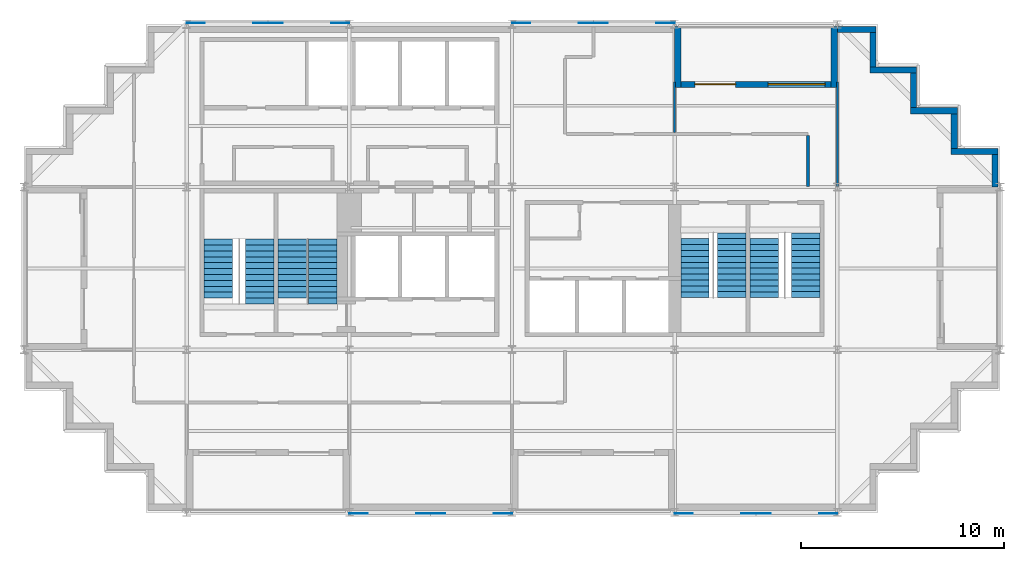
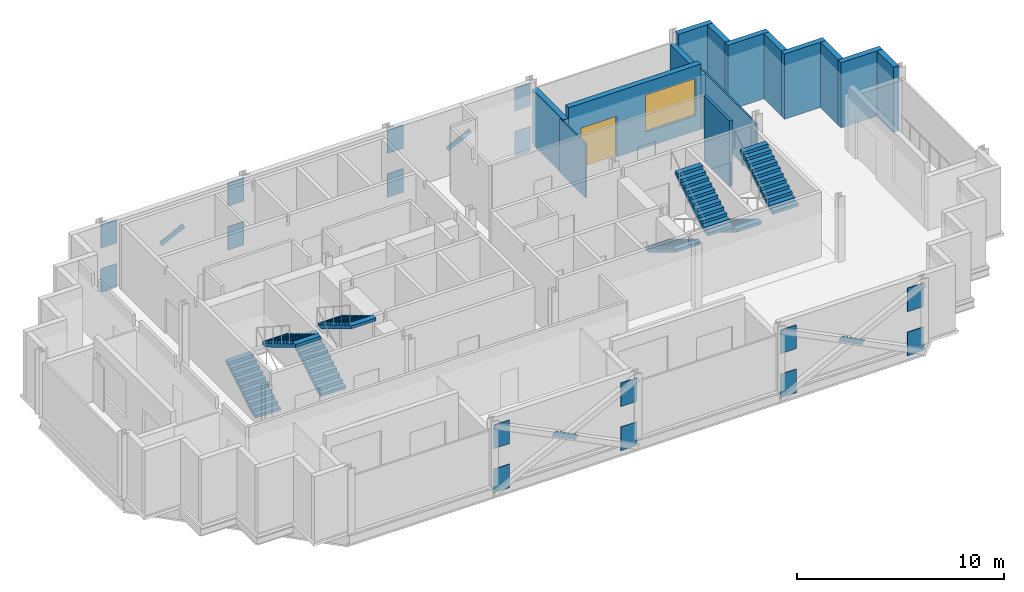
# One storey, part 7 of 8: 20 discrete accessories, 14 walls, 8 stair flights, 1 door, 1 window, 2 openings, 4 elements without a shape of their own.
"""IFC4 building model written with IfcOpenShell, lengths in metres."""

from ifc_helpers import new_model, si_unit, direction, frame, frame_2d, origin, origin_2d, place, context, subcontext, project, spatial, polyline, rectangle, outline, extrude, material, layer, layer_set, material_profile, profile_set, type_object, element, fill, aggregate, save


model = new_model("IFC4")

# Units and contexts
model_context = context("Model", 3, precision=1e-05, world=origin(), true_north=direction((0.0, 1.0)))
body_context = subcontext(model_context, "Body", "Model", "MODEL_VIEW")
ifc_project = project(units=[si_unit("LENGTHUNIT", "METRE"), si_unit("AREAUNIT", "SQUARE_METRE"), si_unit("VOLUMEUNIT", "CUBIC_METRE"), si_unit("PLANEANGLEUNIT", "RADIAN"), si_unit("MASSUNIT", "GRAM", prefix="KILO")], contexts=[model_context])

# Site, building, storey
site_placement = place(None, origin())
site = spatial("IfcSite", under=ifc_project, at=site_placement, CompositionType="ELEMENT")
building_placement = place(site_placement, origin())
building = spatial("IfcBuilding", under=site, at=building_placement, Name="Immortelle Media Tower", CompositionType="ELEMENT")
storey_placement = place(building_placement, frame((0.0, 0.0, 267.0)))
storey = spatial("IfcBuildingStorey", under=building, at=storey_placement, Name="L58", CompositionType="ELEMENT", Elevation=267.0)

# Walls
ifc_material_1 = material(Name="Fire-rated gypsum board", Category="gypsum")
ifc_layer_1 = layer(ifc_material_1, 0.012451171875)
ifc_material_2 = material(Name="Steel ASTM A653 SS Gr 50 stud frame with mineral wool", Category="steel")
ifc_layer_2 = layer(ifc_material_2, 0.125)
ifc_layer_3 = layer(ifc_material_1, 0.012451171875)
ifc_layer_set_1 = layer_set([ifc_layer_1, ifc_layer_2, ifc_layer_3], Name="Steel ASTM A653 SS Gr 50 stud frame with mineral wool")
wall_type_1 = type_object("IfcWallType", Name="Corridor wall 150", PredefinedType="PARTITIONING", material=ifc_layer_set_1)
wall_1_placement = place(storey_placement, frame((38.550048828125, 16.030029296875, 0.0), z_axis=(0.0, 0.0, 1.0), x_axis=(0.0, 1.0, 0.0)))
element("IfcWall", 1, at=wall_1_placement, inside=storey, type_object=wall_type_1, Name="Partition L58-009", PredefinedType="PARTITIONING", context=body_context, shape_type="SweptSolid", body=[
    extrude(rectangle(XDim=2.494873046875, YDim=0.14990234375, at=frame_2d((1.24755859375, 0.0))), origin(), (0.0, 0.0, 1.0), 3.85009765625),
])
ifc_material_3 = material(Name="Pale aluminium cladding panel", Category="aluminium")
ifc_layer_4 = layer(ifc_material_3, 0.030029296875)
ifc_layer_5 = layer(ifc_material_2, 0.257568359375)
ifc_material_4 = material(Name="Moisture-resistant gypsum board", Category="gypsum")
ifc_layer_6 = layer(ifc_material_4, 0.012451171875)
ifc_layer_set_2 = layer_set([ifc_layer_4, ifc_layer_5, ifc_layer_6], Name="Steel ASTM A653 SS Gr 50 stud frame with mineral wool")
wall_type_2 = type_object("IfcWallType", Name="Facade wall 300", PredefinedType="SOLIDWALL", material=ifc_layer_set_2)
wall_2_placement = place(storey_placement, frame((47.75, 16.0, 0.0), z_axis=(0.0, 0.0, 1.0), x_axis=(0.0, 1.0, 0.0)))
element("IfcWall", 2, at=wall_2_placement, inside=storey, type_object=wall_type_2, Name="Facade wall L58 E13", PredefinedType="SOLIDWALL", context=body_context, shape_type="SweptSolid", body=[
    extrude(rectangle(XDim=1.60009765625, YDim=0.300048828125, at=frame_2d((0.800048828125, 0.0))), origin(), (0.0, 0.0, 1.0), 3.85009765625),
])
wall_3_placement = place(storey_placement, frame((47.89990234375, 17.75, 0.0), z_axis=(0.0, 0.0, 1.0), x_axis=(-1.0, 0.0, 0.0)))
element("IfcWall", 3, at=wall_3_placement, inside=storey, type_object=wall_type_2, Name="Facade wall L58 N14", PredefinedType="SOLIDWALL", context=body_context, shape_type="SweptSolid", body=[
    extrude(rectangle(XDim=2.2998046875, YDim=0.300048828125, at=frame_2d((1.14990234375, 0.0))), origin(), (0.0, 0.0, 1.0), 3.85009765625),
])
wall_4_placement = place(storey_placement, frame((45.75, 17.89990234375, 0.0), z_axis=(0.0, 0.0, 1.0), x_axis=(0.0, 1.0, 0.0)))
element("IfcWall", 4, at=wall_4_placement, inside=storey, type_object=wall_type_2, Name="Facade wall L58 E15", PredefinedType="SOLIDWALL", context=body_context, shape_type="SweptSolid", body=[
    extrude(rectangle(XDim=1.7001953125, YDim=0.300048828125, at=frame_2d((0.85009765625, 0.0))), origin(), (0.0, 0.0, 1.0), 3.85009765625),
])
wall_5_placement = place(storey_placement, frame((45.89990234375, 19.75, 0.0), z_axis=(0.0, 0.0, 1.0), x_axis=(-1.0, 0.0, 0.0)))
element("IfcWall", 5, at=wall_5_placement, inside=storey, type_object=wall_type_2, Name="Facade wall L58 N16", PredefinedType="SOLIDWALL", context=body_context, shape_type="SweptSolid", body=[
    extrude(rectangle(XDim=2.2998046875, YDim=0.300048828125, at=frame_2d((1.14990234375, 0.0))), origin(), (0.0, 0.0, 1.0), 3.85009765625),
])
wall_6_placement = place(storey_placement, frame((43.75, 19.89990234375, 0.0), z_axis=(0.0, 0.0, 1.0), x_axis=(0.0, 1.0, 0.0)))
element("IfcWall", 6, at=wall_6_placement, inside=storey, type_object=wall_type_2, Name="Facade wall L58 E17", PredefinedType="SOLIDWALL", context=body_context, shape_type="SweptSolid", body=[
    extrude(rectangle(XDim=1.7001953125, YDim=0.300048828125, at=frame_2d((0.85009765625, 0.0))), origin(), (0.0, 0.0, 1.0), 3.85009765625),
])
wall_7_placement = place(storey_placement, frame((43.89990234375, 21.75, 0.0), z_axis=(0.0, 0.0, 1.0), x_axis=(-1.0, 0.0, 0.0)))
element("IfcWall", 7, at=wall_7_placement, inside=storey, type_object=wall_type_2, Name="Facade wall L58 N18", PredefinedType="SOLIDWALL", context=body_context, shape_type="SweptSolid", body=[
    extrude(rectangle(XDim=2.2998046875, YDim=0.300048828125, at=frame_2d((1.14990234375, 0.0))), origin(), (0.0, 0.0, 1.0), 3.85009765625),
])
wall_8_placement = place(storey_placement, frame((41.75, 21.89990234375, 0.0), z_axis=(0.0, 0.0, 1.0), x_axis=(0.0, 1.0, 0.0)))
element("IfcWall", 8, at=wall_8_placement, inside=storey, type_object=wall_type_2, Name="Facade wall L58 E19", PredefinedType="SOLIDWALL", context=body_context, shape_type="SweptSolid", body=[
    extrude(rectangle(XDim=1.7001953125, YDim=0.300048828125, at=frame_2d((0.85009765625, 0.0))), origin(), (0.0, 0.0, 1.0), 3.85009765625),
])
wall_9_placement = place(storey_placement, frame((41.89990234375, 23.75, 0.0), z_axis=(0.0, 0.0, 1.0), x_axis=(-1.0, 0.0, 0.0)))
element("IfcWall", 9, at=wall_9_placement, inside=storey, type_object=wall_type_2, Name="Facade wall L58 N20", PredefinedType="SOLIDWALL", context=body_context, shape_type="SweptSolid", body=[
    extrude(rectangle(XDim=1.89990234375, YDim=0.300048828125, at=frame_2d((0.949951171875, 0.0))), origin(), (0.0, 0.0, 1.0), 3.85009765625),
])

# Wall, openings, door, window
wall_10_placement = place(storey_placement, frame((39.699951171875, 21.050048828125, 0.0), z_axis=(0.0, 0.0, 1.0), x_axis=(-1.0, 0.0, 0.0)))
wall_10 = element("IfcWall", 10, at=wall_10_placement, inside=storey, type_object=wall_type_2, Name="Loggia wall L58 N20", PredefinedType="SOLIDWALL", context=body_context, shape_type="SweptSolid", body=[
    extrude(rectangle(XDim=7.39990234375, YDim=0.300048828125, at=frame_2d((3.699951171875, 0.0))), origin(), (0.0, 0.0, 1.0), 3.85009765625),
])
opening_1_placement = place(wall_10_placement, frame((0.300048828125, 0.0, 0.89990234375)))
opening_1 = element("IfcOpeningElement", 11, at=opening_1_placement, cuts=wall_10, Name="Opening W1", PredefinedType="OPENING", context=body_context, shape_type="SweptSolid", body=[
    extrude(rectangle(XDim=2.800048828125, YDim=2.199951171875, at=frame_2d((1.39990234375, 1.10009765625))), frame((0.0, 0.159912109375, 0.0), z_axis=(0.0, -1.0, 0.0), x_axis=(1.0, 0.0, 0.0)), (0.0, 0.0, 1.0), 0.320068359375),
])
opening_2_placement = place(wall_10_placement, frame((4.699951171875, 0.0, 0.0)))
opening_2 = element("IfcOpeningElement", 12, at=opening_2_placement, cuts=wall_10, Name="Opening X3-E004", PredefinedType="OPENING", context=body_context, shape_type="SweptSolid", body=[
    extrude(rectangle(XDim=2.0, YDim=2.39990234375, at=frame_2d((1.0, 1.199951171875))), frame((0.0, 0.159912109375, 0.0), z_axis=(0.0, -1.0, 0.0), x_axis=(1.0, 0.0, 0.0)), (0.0, 0.0, 1.0), 0.320068359375),
])
ifc_material_5 = material(Name="Aluminium frame, glazed leaves", Category="aluminium")
door_type = type_object("IfcDoorType", Name="Loggia door 2000 x 2400", OperationType="DOUBLE_DOOR_SINGLE_SWING", PredefinedType="DOOR", material=ifc_material_5)
door_placement = place(opening_2_placement, origin())
door = element("IfcDoor", 13, at=door_placement, inside=storey, type_object=door_type, Name="Door X3-E004", OperationType="DOUBLE_DOOR_SINGLE_SWING", OverallHeight=2.39990234375, OverallWidth=2.0, PredefinedType="DOOR", context=body_context, shape_type="SweptSolid", body=[
    extrude(rectangle(XDim=2.0, YDim=2.39990234375, at=frame_2d((1.0, 1.199951171875))), frame((0.0, 0.02490234375, 0.0), z_axis=(0.0, -1.0, 0.0), x_axis=(1.0, 0.0, 0.0)), (0.0, 0.0, 1.0), 0.050048828125),
])
fill(opening_2, door)
ifc_material_6 = material(Name="Aluminium frame", Category="aluminium")
window_type = type_object("IfcWindowType", Name="Window 2800 x 2200", PartitioningType="SINGLE_PANEL", PredefinedType="WINDOW", material=ifc_material_6)
window_placement = place(opening_1_placement, origin())
window = element("IfcWindow", 14, at=window_placement, inside=storey, type_object=window_type, Name="Window L58 L58-R20-B0", OverallHeight=2.199951171875, OverallWidth=2.800048828125, PartitioningType="SINGLE_PANEL", PredefinedType="WINDOW", context=body_context, shape_type="SweptSolid", body=[
    extrude(rectangle(XDim=2.800048828125, YDim=2.199951171875, at=frame_2d((1.39990234375, 1.10009765625))), frame((0.0, 0.030029296875, 0.0), z_axis=(0.0, -1.0, 0.0), x_axis=(1.0, 0.0, 0.0)), (0.0, 0.0, 1.0), 0.06005859375),
])
fill(opening_1, window)

# Walls
wall_11_placement = place(storey_placement, frame((39.85009765625, 23.89990234375, 0.0), z_axis=(0.0, 0.0, 1.0), x_axis=(0.0, -1.0, 0.0)))
element("IfcWall", 15, at=wall_11_placement, inside=storey, type_object=wall_type_2, Name="Loggia cheek wall L58 N", PredefinedType="SOLIDWALL", context=body_context, shape_type="SweptSolid", body=[
    extrude(rectangle(XDim=3.0, YDim=0.300048828125, at=frame_2d((1.5, 0.0))), origin(), (0.0, 0.0, 1.0), 3.1708984375),
])
wall_12_placement = place(storey_placement, frame((32.14990234375, 23.89990234375, 0.0), z_axis=(0.0, 0.0, 1.0), x_axis=(0.0, -1.0, 0.0)))
element("IfcWall", 16, at=wall_12_placement, inside=storey, type_object=wall_type_2, Name="Loggia cheek wall L58 N", PredefinedType="SOLIDWALL", context=body_context, shape_type="SweptSolid", body=[
    extrude(rectangle(XDim=3.0, YDim=0.300048828125, at=frame_2d((1.5, 0.0))), origin(), (0.0, 0.0, 1.0), 3.237060546875),
])
ifc_material_7 = material(Name="Gypsum board", Category="gypsum")
ifc_layer_7 = layer(ifc_material_7, 0.012451171875)
ifc_layer_8 = layer(ifc_material_2, 0.074951171875)
ifc_layer_9 = layer(ifc_material_7, 0.012451171875)
ifc_layer_set_3 = layer_set([ifc_layer_7, ifc_layer_8, ifc_layer_9], Name="Steel ASTM A653 SS Gr 50 stud frame with mineral wool")
wall_type_3 = type_object("IfcWallType", Name="Partition 100", PredefinedType="PARTITIONING", material=ifc_layer_set_3)
wall_13_placement = place(storey_placement, frame((40.0, 16.030029296875, 0.0), z_axis=(0.0, 0.0, 1.0), x_axis=(0.0, 1.0, 0.0)))
element("IfcWall", 17, at=wall_13_placement, inside=storey, type_object=wall_type_3, Name="Partition L58-010", PredefinedType="PARTITIONING", context=body_context, shape_type="SweptSolid", body=[
    extrude(rectangle(XDim=5.139892578125, YDim=0.10009765625, at=frame_2d((2.56982421875, 0.0))), origin(), (0.0, 0.0, 1.0), 3.172119140625),
])
wall_14_placement = place(storey_placement, frame((32.0, 18.675048828125, 0.0), z_axis=(0.0, 0.0, 1.0), x_axis=(0.0, 1.0, 0.0)))
element("IfcWall", 18, at=wall_14_placement, inside=storey, type_object=wall_type_3, Name="Partition L58-013", PredefinedType="PARTITIONING", context=body_context, shape_type="SweptSolid", body=[
    extrude(rectangle(XDim=2.494873046875, YDim=0.10009765625, at=frame_2d((1.24755859375, 0.0))), origin(), (0.0, 0.0, 1.0), 3.172119140625),
])

# Stair, stair flights
ifc_material_8 = material(Name="Steel ASTM A992 Gr 50", Category="steel")
stair_type = type_object("IfcStairType", Name="Stair with flights", PredefinedType="DOUBLE_RETURN_STAIR", material=ifc_material_8)
stair_1_placement = place(storey_placement, origin())
stair_1 = element("IfcStair", 19, at=stair_1_placement, inside=storey, type_object=stair_type, Name="Exit stair SW1", PredefinedType="DOUBLE_RETURN_STAIR")
stair_flight_type = type_object("IfcStairFlightType", Name="Stair flight 1400", PredefinedType="STRAIGHT", material=ifc_material_8)
stair_flight_1_placement = place(storey_placement, frame((9.550048828125, 10.5400390625, 0.0), z_axis=(0.0, 0.0, 1.0), x_axis=(0.0, 1.0, 0.0)))
stair_flight_1 = element("IfcStairFlight", 20, at=stair_flight_1_placement, type_object=stair_flight_type, Name="ST SW1 flight 1", NumberOfRisers=11, NumberOfTreads=10, PredefinedType="STRAIGHT", RiserHeight=0.173913043, TreadLength=0.29, context=body_context, shape_type="SweptSolid", body=[
    extrude(outline(polyline([(0.0, 0.0), (0.0, 0.173828125), (0.2900390625, 0.173828125), (0.2900390625, 0.347900390625), (0.580078125, 0.347900390625), (0.580078125, 0.521728515625), (0.8701171875, 0.521728515625), (0.8701171875, 0.695556640625), (1.159912109375, 0.695556640625), (1.159912109375, 0.86962890625), (1.449951171875, 0.86962890625), (1.449951171875, 1.04345703125), (1.739990234375, 1.04345703125), (1.739990234375, 1.21728515625), (2.030029296875, 1.21728515625), (2.030029296875, 1.391357421875), (2.320068359375, 1.391357421875), (2.320068359375, 1.565185546875), (2.610107421875, 1.565185546875), (2.610107421875, 1.739013671875), (2.89990234375, 1.739013671875), (2.89990234375, 1.9130859375), (2.89990234375, 1.564453125), (0.29150390625, 0.0), (0.0, 0.0)])), frame((0.0, 0.699951171875, 0.0), z_axis=(0.0, -1.0, 0.0), x_axis=(1.0, 0.0, 0.0)), (0.0, 0.0, 1.0), 1.39990234375),
])
stair_flight_2_placement = place(storey_placement, frame((11.60009765625, 13.43994140625, 1.9130859375), z_axis=(0.0, 0.0, 1.0), x_axis=(0.0, -1.0, 0.0)))
stair_flight_2 = element("IfcStairFlight", 21, at=stair_flight_2_placement, type_object=stair_flight_type, Name="ST SW1 flight 2", NumberOfRisers=12, NumberOfTreads=11, PredefinedType="STRAIGHT", RiserHeight=0.173913043, TreadLength=0.29, context=body_context, shape_type="SweptSolid", body=[
    extrude(outline(polyline([(0.0, 0.0), (0.0, 0.173828125), (0.2900390625, 0.173828125), (0.2900390625, 0.347900390625), (0.580078125, 0.347900390625), (0.580078125, 0.521728515625), (0.8701171875, 0.521728515625), (0.8701171875, 0.695556640625), (1.159912109375, 0.695556640625), (1.159912109375, 0.86962890625), (1.449951171875, 0.86962890625), (1.449951171875, 1.04345703125), (1.739990234375, 1.04345703125), (1.739990234375, 1.21728515625), (2.030029296875, 1.21728515625), (2.030029296875, 1.391357421875), (2.320068359375, 1.391357421875), (2.320068359375, 1.565185546875), (2.610107421875, 1.565185546875), (2.610107421875, 1.739013671875), (2.89990234375, 1.739013671875), (2.89990234375, 1.9130859375), (3.18994140625, 1.9130859375), (3.18994140625, 2.0869140625), (3.18994140625, 1.73828125), (0.29150390625, 0.0), (0.0, 0.0)])), frame((0.0, 0.699951171875, 0.0), z_axis=(0.0, -1.0, 0.0), x_axis=(1.0, 0.0, 0.0)), (0.0, 0.0, 1.0), 1.39990234375),
])
aggregate(stair_1, [stair_flight_1, stair_flight_2])

stair_2_placement = place(storey_placement, origin())
stair_2 = element("IfcStair", 22, at=stair_2_placement, inside=storey, type_object=stair_type, Name="Exit stair SW2", PredefinedType="DOUBLE_RETURN_STAIR")
stair_flight_3_placement = place(storey_placement, frame((13.199951171875, 10.5400390625, 0.0), z_axis=(0.0, 0.0, 1.0), x_axis=(0.0, 1.0, 0.0)))
stair_flight_3 = element("IfcStairFlight", 23, at=stair_flight_3_placement, type_object=stair_flight_type, Name="ST SW2 flight 1", NumberOfRisers=11, NumberOfTreads=10, PredefinedType="STRAIGHT", RiserHeight=0.173913043, TreadLength=0.29, context=body_context, shape_type="SweptSolid", body=[
    extrude(outline(polyline([(0.0, 0.0), (0.0, 0.173828125), (0.2900390625, 0.173828125), (0.2900390625, 0.347900390625), (0.580078125, 0.347900390625), (0.580078125, 0.521728515625), (0.8701171875, 0.521728515625), (0.8701171875, 0.695556640625), (1.159912109375, 0.695556640625), (1.159912109375, 0.86962890625), (1.449951171875, 0.86962890625), (1.449951171875, 1.04345703125), (1.739990234375, 1.04345703125), (1.739990234375, 1.21728515625), (2.030029296875, 1.21728515625), (2.030029296875, 1.391357421875), (2.320068359375, 1.391357421875), (2.320068359375, 1.565185546875), (2.610107421875, 1.565185546875), (2.610107421875, 1.739013671875), (2.89990234375, 1.739013671875), (2.89990234375, 1.9130859375), (2.89990234375, 1.564453125), (0.29150390625, 0.0), (0.0, 0.0)])), frame((0.0, 0.699951171875, 0.0), z_axis=(0.0, -1.0, 0.0), x_axis=(1.0, 0.0, 0.0)), (0.0, 0.0, 1.0), 1.39990234375),
])
stair_flight_4_placement = place(storey_placement, frame((14.699951171875, 13.43994140625, 1.9130859375), z_axis=(0.0, 0.0, 1.0), x_axis=(0.0, -1.0, 0.0)))
stair_flight_4 = element("IfcStairFlight", 24, at=stair_flight_4_placement, type_object=stair_flight_type, Name="ST SW2 flight 2", NumberOfRisers=12, NumberOfTreads=11, PredefinedType="STRAIGHT", RiserHeight=0.173913043, TreadLength=0.29, context=body_context, shape_type="SweptSolid", body=[
    extrude(outline(polyline([(0.0, 0.0), (0.0, 0.173828125), (0.2900390625, 0.173828125), (0.2900390625, 0.347900390625), (0.580078125, 0.347900390625), (0.580078125, 0.521728515625), (0.8701171875, 0.521728515625), (0.8701171875, 0.695556640625), (1.159912109375, 0.695556640625), (1.159912109375, 0.86962890625), (1.449951171875, 0.86962890625), (1.449951171875, 1.04345703125), (1.739990234375, 1.04345703125), (1.739990234375, 1.21728515625), (2.030029296875, 1.21728515625), (2.030029296875, 1.391357421875), (2.320068359375, 1.391357421875), (2.320068359375, 1.565185546875), (2.610107421875, 1.565185546875), (2.610107421875, 1.739013671875), (2.89990234375, 1.739013671875), (2.89990234375, 1.9130859375), (3.18994140625, 1.9130859375), (3.18994140625, 2.0869140625), (3.18994140625, 1.73828125), (0.29150390625, 0.0), (0.0, 0.0)])), frame((0.0, 0.699951171875, 0.0), z_axis=(0.0, -1.0, 0.0), x_axis=(1.0, 0.0, 0.0)), (0.0, 0.0, 1.0), 1.39990234375),
])
aggregate(stair_2, [stair_flight_3, stair_flight_4])

stair_3_placement = place(storey_placement, origin())
stair_3 = element("IfcStair", 25, at=stair_3_placement, inside=storey, type_object=stair_type, Name="Exit stair SE1", PredefinedType="DOUBLE_RETURN_STAIR")
stair_flight_5_placement = place(storey_placement, frame((33.0, 13.4599609375, 0.0), z_axis=(0.0, 0.0, 1.0), x_axis=(0.0, -1.0, 0.0)))
stair_flight_5 = element("IfcStairFlight", 26, at=stair_flight_5_placement, type_object=stair_flight_type, Name="ST SE1 flight 1", NumberOfRisers=11, NumberOfTreads=10, PredefinedType="STRAIGHT", RiserHeight=0.173913043, TreadLength=0.29, context=body_context, shape_type="SweptSolid", body=[
    extrude(outline(polyline([(0.0, 0.0), (0.0, 0.173828125), (0.2900390625, 0.173828125), (0.2900390625, 0.347900390625), (0.580078125, 0.347900390625), (0.580078125, 0.521728515625), (0.8701171875, 0.521728515625), (0.8701171875, 0.695556640625), (1.159912109375, 0.695556640625), (1.159912109375, 0.86962890625), (1.449951171875, 0.86962890625), (1.449951171875, 1.04345703125), (1.739990234375, 1.04345703125), (1.739990234375, 1.21728515625), (2.030029296875, 1.21728515625), (2.030029296875, 1.391357421875), (2.320068359375, 1.391357421875), (2.320068359375, 1.565185546875), (2.610107421875, 1.565185546875), (2.610107421875, 1.739013671875), (2.89990234375, 1.739013671875), (2.89990234375, 1.9130859375), (2.89990234375, 1.564453125), (0.29150390625, 0.0), (0.0, 0.0)])), frame((0.0, 0.699951171875, 0.0), z_axis=(0.0, -1.0, 0.0), x_axis=(1.0, 0.0, 0.0)), (0.0, 0.0, 1.0), 1.39990234375),
])
stair_flight_6_placement = place(storey_placement, frame((34.800048828125, 10.56005859375, 1.9130859375), z_axis=(0.0, 0.0, 1.0), x_axis=(0.0, 1.0, 0.0)))
stair_flight_6 = element("IfcStairFlight", 27, at=stair_flight_6_placement, type_object=stair_flight_type, Name="ST SE1 flight 2", NumberOfRisers=12, NumberOfTreads=11, PredefinedType="STRAIGHT", RiserHeight=0.173913043, TreadLength=0.29, context=body_context, shape_type="SweptSolid", body=[
    extrude(outline(polyline([(0.0, 0.0), (0.0, 0.173828125), (0.2900390625, 0.173828125), (0.2900390625, 0.347900390625), (0.580078125, 0.347900390625), (0.580078125, 0.521728515625), (0.8701171875, 0.521728515625), (0.8701171875, 0.695556640625), (1.159912109375, 0.695556640625), (1.159912109375, 0.86962890625), (1.449951171875, 0.86962890625), (1.449951171875, 1.04345703125), (1.739990234375, 1.04345703125), (1.739990234375, 1.21728515625), (2.030029296875, 1.21728515625), (2.030029296875, 1.391357421875), (2.320068359375, 1.391357421875), (2.320068359375, 1.565185546875), (2.610107421875, 1.565185546875), (2.610107421875, 1.739013671875), (2.89990234375, 1.739013671875), (2.89990234375, 1.9130859375), (3.18994140625, 1.9130859375), (3.18994140625, 2.0869140625), (3.18994140625, 1.73828125), (0.29150390625, 0.0), (0.0, 0.0)])), frame((0.0, 0.699951171875, 0.0), z_axis=(0.0, -1.0, 0.0), x_axis=(1.0, 0.0, 0.0)), (0.0, 0.0, 1.0), 1.39990234375),
])
aggregate(stair_3, [stair_flight_5, stair_flight_6])

stair_4_placement = place(storey_placement, origin())
stair_4 = element("IfcStair", 28, at=stair_4_placement, inside=storey, type_object=stair_type, Name="Exit stair SE2", PredefinedType="DOUBLE_RETURN_STAIR")
stair_flight_7_placement = place(storey_placement, frame((36.39990234375, 13.4599609375, 0.0), z_axis=(0.0, 0.0, 1.0), x_axis=(0.0, -1.0, 0.0)))
stair_flight_7 = element("IfcStairFlight", 29, at=stair_flight_7_placement, type_object=stair_flight_type, Name="ST SE2 flight 1", NumberOfRisers=11, NumberOfTreads=10, PredefinedType="STRAIGHT", RiserHeight=0.173913043, TreadLength=0.29, context=body_context, shape_type="SweptSolid", body=[
    extrude(outline(polyline([(0.0, 0.0), (0.0, 0.173828125), (0.2900390625, 0.173828125), (0.2900390625, 0.347900390625), (0.580078125, 0.347900390625), (0.580078125, 0.521728515625), (0.8701171875, 0.521728515625), (0.8701171875, 0.695556640625), (1.159912109375, 0.695556640625), (1.159912109375, 0.86962890625), (1.449951171875, 0.86962890625), (1.449951171875, 1.04345703125), (1.739990234375, 1.04345703125), (1.739990234375, 1.21728515625), (2.030029296875, 1.21728515625), (2.030029296875, 1.391357421875), (2.320068359375, 1.391357421875), (2.320068359375, 1.565185546875), (2.610107421875, 1.565185546875), (2.610107421875, 1.739013671875), (2.89990234375, 1.739013671875), (2.89990234375, 1.9130859375), (2.89990234375, 1.564453125), (0.29150390625, 0.0), (0.0, 0.0)])), frame((0.0, 0.699951171875, 0.0), z_axis=(0.0, -1.0, 0.0), x_axis=(1.0, 0.0, 0.0)), (0.0, 0.0, 1.0), 1.39990234375),
])
stair_flight_8_placement = place(storey_placement, frame((38.449951171875, 10.56005859375, 1.9130859375), z_axis=(0.0, 0.0, 1.0), x_axis=(0.0, 1.0, 0.0)))
stair_flight_8 = element("IfcStairFlight", 30, at=stair_flight_8_placement, type_object=stair_flight_type, Name="ST SE2 flight 2", NumberOfRisers=12, NumberOfTreads=11, PredefinedType="STRAIGHT", RiserHeight=0.173913043, TreadLength=0.29, context=body_context, shape_type="SweptSolid", body=[
    extrude(outline(polyline([(0.0, 0.0), (0.0, 0.173828125), (0.2900390625, 0.173828125), (0.2900390625, 0.347900390625), (0.580078125, 0.347900390625), (0.580078125, 0.521728515625), (0.8701171875, 0.521728515625), (0.8701171875, 0.695556640625), (1.159912109375, 0.695556640625), (1.159912109375, 0.86962890625), (1.449951171875, 0.86962890625), (1.449951171875, 1.04345703125), (1.739990234375, 1.04345703125), (1.739990234375, 1.21728515625), (2.030029296875, 1.21728515625), (2.030029296875, 1.391357421875), (2.320068359375, 1.391357421875), (2.320068359375, 1.565185546875), (2.610107421875, 1.565185546875), (2.610107421875, 1.739013671875), (2.89990234375, 1.739013671875), (2.89990234375, 1.9130859375), (3.18994140625, 1.9130859375), (3.18994140625, 2.0869140625), (3.18994140625, 1.73828125), (0.29150390625, 0.0), (0.0, 0.0)])), frame((0.0, 0.699951171875, 0.0), z_axis=(0.0, -1.0, 0.0), x_axis=(1.0, 0.0, 0.0)), (0.0, 0.0, 1.0), 1.39990234375),
])
aggregate(stair_4, [stair_flight_7, stair_flight_8])

# Discrete accessories
ifc_material_9 = material(Name="Steel ASTM A572 Gr 50", Category="steel")
ifc_material_profile_1 = material_profile(ifc_material_9, rectangle(XDim=0.02392578125, YDim=0.304931640625, at=origin_2d()), Name="PL 24 x 305")
ifc_profile_set_1 = profile_set([ifc_material_profile_1], Name="Steel ASTM A572 Gr 50")
discrete_accessory_type_1 = type_object("IfcDiscreteAccessoryType", Name="Crossing plate XP-BR6 1450 x 305 x 24", PredefinedType="USERDEFINED", material=ifc_profile_set_1)
for number, where, z_axis, x_axis, name in (
    (31, (28.6484375, 24.0625, 1.8681640625), (-0.894427191, 0.0, -0.4472135955), (0.0, -1.0, 0.0), "Crossing plate XP-BR6 of Brace D/4-5 A and Brace D/4-5 B"),
    (32, (12.6484375, 24.0625, 1.8681640625), (-0.894427191, 0.0, -0.4472135955), (0.0, -1.0, 0.0), "Crossing plate XP-BR6 of Brace D/2-3 A and Brace D/2-3 B"),
    (33, (19.3515625, -0.0625, 1.8681640625), (0.894427191, 0.0, -0.4472135955), (0.0, 1.0, 0.0), "Crossing plate XP-BR6 of Brace A/3-4 A and Brace A/3-4 B"),
    (34, (35.3515625, -0.0625, 1.8681640625), (0.894427191, 0.0, -0.4472135955), (0.0, 1.0, 0.0), "Crossing plate XP-BR6 of Brace A/5-6 A and Brace A/5-6 B"),
):
    element("IfcDiscreteAccessory", number, at=place(storey_placement, frame(where, z_axis=z_axis, x_axis=x_axis)), inside=storey, type_object=discrete_accessory_type_1, Name=name, ObjectType="CROSSING PLATE", PredefinedType="USERDEFINED", context=body_context, shape_type="SweptSolid", body=[
        extrude(rectangle(XDim=0.02392578125, YDim=0.304931640625, at=origin_2d()), origin(), (0.0, 0.0, 1.0), 1.449951171875),
    ])
ifc_material_profile_2 = material_profile(ifc_material_9, rectangle(XDim=0.031982421875, YDim=1.39990234375, at=origin_2d()), Name="PL 32 x 1400")
ifc_profile_set_2 = profile_set([ifc_material_profile_2], Name="Steel ASTM A572 Gr 50")
discrete_accessory_type_2 = type_object("IfcDiscreteAccessoryType", Name="Gusset plate GP1 900 x 1400 x 32", PredefinedType="USERDEFINED", material=ifc_profile_set_2)
for number, where, z_axis, x_axis, name in (
    (35, (16.0, -0.0625, 0.243896484375), (1.0, 0.0, 0.0), (0.0, 1.0, 0.0), "Gusset plate GP1, lower end of Brace A/3-4 A"),
    (36, (24.0, -0.0625, 2.843994140625), (-1.0, 0.0, 0.0), (0.0, -1.0, 0.0), "Gusset plate GP1, upper end of Brace A/3-4 A"),
    (37, (24.0, -0.0625, 0.243896484375), (-1.0, 0.0, 0.0), (0.0, -1.0, 0.0), "Gusset plate GP1, lower end of Brace A/3-4 B"),
    (38, (16.0, -0.0625, 2.843994140625), (1.0, 0.0, 0.0), (0.0, 1.0, 0.0), "Gusset plate GP1, upper end of Brace A/3-4 B"),
    (39, (32.0, -0.0625, 0.243896484375), (1.0, 0.0, 0.0), (0.0, 1.0, 0.0), "Gusset plate GP1, lower end of Brace A/5-6 A"),
    (40, (40.0, -0.0625, 2.843994140625), (-1.0, 0.0, 0.0), (0.0, -1.0, 0.0), "Gusset plate GP1, upper end of Brace A/5-6 A"),
    (41, (40.0, -0.0625, 0.243896484375), (-1.0, 0.0, 0.0), (0.0, -1.0, 0.0), "Gusset plate GP1, lower end of Brace A/5-6 B"),
    (42, (32.0, -0.0625, 2.843994140625), (1.0, 0.0, 0.0), (0.0, 1.0, 0.0), "Gusset plate GP1, upper end of Brace A/5-6 B"),
    (43, (32.0, 24.0625, 0.243896484375), (-1.0, 0.0, 0.0), (0.0, -1.0, 0.0), "Gusset plate GP1, lower end of Brace D/4-5 A"),
    (44, (24.0, 24.0625, 2.843994140625), (1.0, 0.0, 0.0), (0.0, 1.0, 0.0), "Gusset plate GP1, upper end of Brace D/4-5 A"),
    (45, (24.0, 24.0625, 0.243896484375), (1.0, 0.0, 0.0), (0.0, 1.0, 0.0), "Gusset plate GP1, lower end of Brace D/4-5 B"),
    (46, (32.0, 24.0625, 2.843994140625), (-1.0, 0.0, 0.0), (0.0, -1.0, 0.0), "Gusset plate GP1, upper end of Brace D/4-5 B"),
    (47, (16.0, 24.0625, 0.243896484375), (-1.0, 0.0, 0.0), (0.0, -1.0, 0.0), "Gusset plate GP1, lower end of Brace D/2-3 A"),
    (48, (8.0, 24.0625, 2.843994140625), (1.0, 0.0, 0.0), (0.0, 1.0, 0.0), "Gusset plate GP1, upper end of Brace D/2-3 A"),
    (49, (8.0, 24.0625, 0.243896484375), (1.0, 0.0, 0.0), (0.0, 1.0, 0.0), "Gusset plate GP1, lower end of Brace D/2-3 B"),
    (50, (16.0, 24.0625, 2.843994140625), (-1.0, 0.0, 0.0), (0.0, -1.0, 0.0), "Gusset plate GP1, upper end of Brace D/2-3 B"),
):
    element("IfcDiscreteAccessory", number, at=place(storey_placement, frame(where, z_axis=z_axis, x_axis=x_axis)), inside=storey, type_object=discrete_accessory_type_2, Name=name, ObjectType="GUSSET PLATE", PredefinedType="USERDEFINED", context=body_context, shape_type="SweptSolid", body=[
        extrude(rectangle(XDim=0.031982421875, YDim=1.39990234375, at=origin_2d()), origin(), (0.0, 0.0, 1.0), 0.89990234375),
    ])

save(model, "model.ifc")
